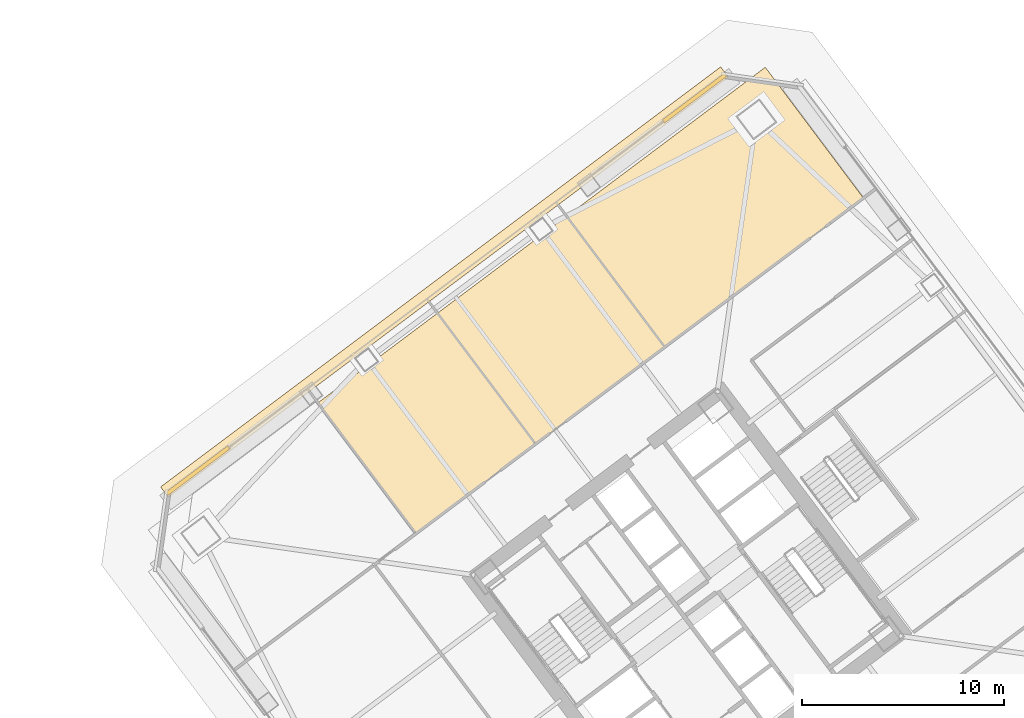
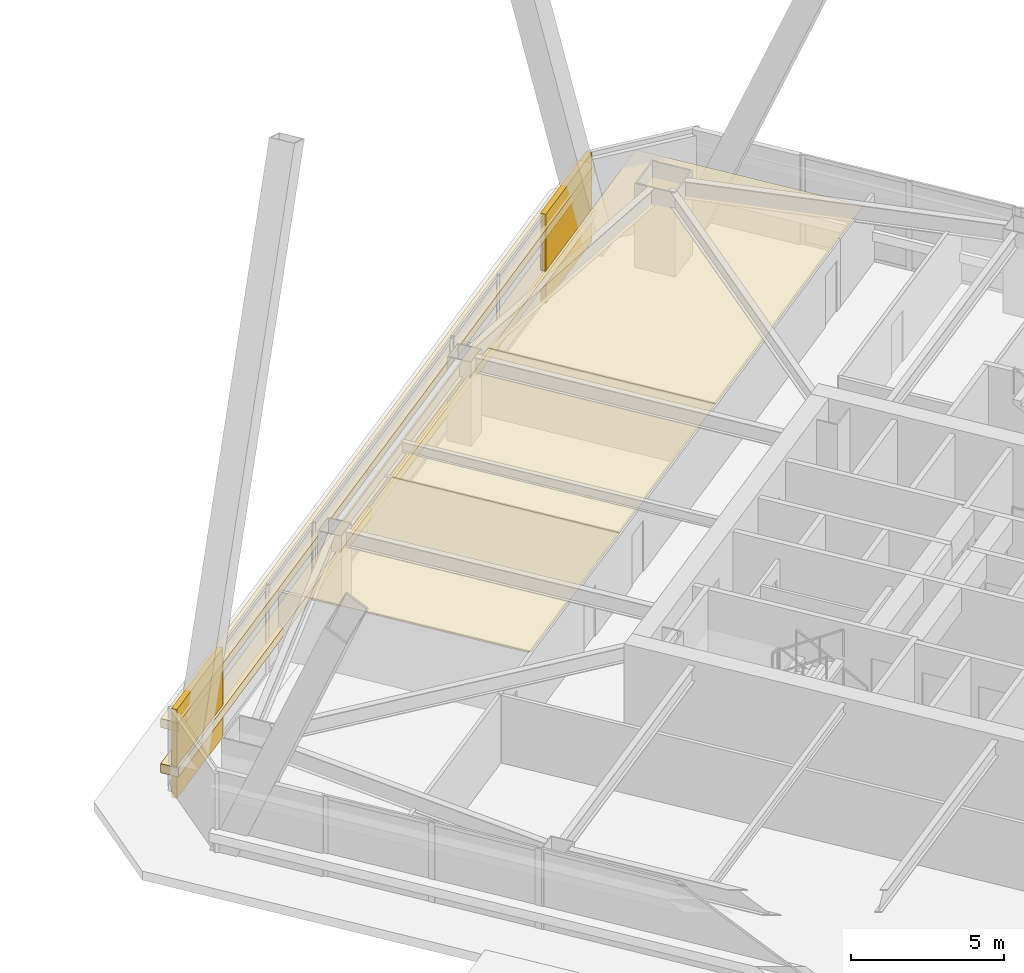
# One storey, part 66 of 67: 7 coverings.
"""IFC4 building model written with IfcOpenShell, lengths in metres."""

from ifc_helpers import new_model, si_unit, direction, frame, origin, origin_2d, place, context, subcontext, project, spatial, polyline, rectangle, outline, extrude, material, layer, layer_set, type_object, element, save


model = new_model("IFC4")

# Units and contexts
model_context = context("Model", 3, precision=1e-05, world=origin(), true_north=direction((0.0, 1.0)))
body_context = subcontext(model_context, "Body", "Model", "MODEL_VIEW")
ifc_project = project(units=[si_unit("LENGTHUNIT", "METRE"), si_unit("AREAUNIT", "SQUARE_METRE"), si_unit("VOLUMEUNIT", "CUBIC_METRE"), si_unit("PLANEANGLEUNIT", "RADIAN"), si_unit("MASSUNIT", "GRAM", prefix="KILO")], contexts=[model_context])

# Site, building, storey
site_placement = place(None, origin())
site = spatial("IfcSite", under=ifc_project, at=site_placement, CompositionType="ELEMENT")
building_placement = place(site_placement, origin())
building = spatial("IfcBuilding", under=site, at=building_placement, Name="Tashvorn Skyway Center", CompositionType="ELEMENT")
storey_placement = place(building_placement, frame((0.0, 0.0, 67.199951171875)))
storey = spatial("IfcBuildingStorey", under=building, at=storey_placement, Name="L17", CompositionType="ELEMENT", Elevation=67.199951171875)

# Coverings
ifc_material_1 = material(Name="Precast concrete C40/50", Category="concrete")
ifc_layer_1 = layer(ifc_material_1, 0.199951171875)
ifc_layer_set_1 = layer_set([ifc_layer_1], Name="Precast concrete C40/50")
covering_type_1 = type_object("IfcCoveringType", Name="COV-BRACE-CLAD", PredefinedType="CLADDING", material=ifc_layer_set_1)
for number, where, z_axis, x_axis, name in (
    (1, (89.783935546875, 38.68798828125, 0.0), (0.0, 0.0, 1.0), (0.799999996291, 0.600000004945, 0.0), "Tower 2 L17 North Unitised Curtain Wall Mega-Brace Cladding Band 1"),
    (2, (114.360107421875, 57.1201171875, 0.0), (0.0, 0.0, 1.0), (0.799999996291, 0.600000004945, 0.0), "Tower 2 L17 North Unitised Curtain Wall Mega-Brace Cladding Band 2"),
):
    element("IfcCovering", number, at=place(storey_placement, frame(where, z_axis=z_axis, x_axis=x_axis)), inside=storey, type_object=covering_type_1, Name=name, PredefinedType="CLADDING", context=body_context, shape_type="SweptSolid", body=[
        extrude(rectangle(XDim=3.840087890625, YDim=0.199951171875, at=origin_2d()), origin(), (0.0, 0.0, 1.0), 3.550048828125),
    ])
ifc_material_2 = material(Name="Mineral-fibre acoustic ceiling tile on suspended grid")
ifc_layer_2 = layer(ifc_material_2, 0.02001953125)
ifc_layer_set_2 = layer_set([ifc_layer_2], Name="Mineral-fibre acoustic ceiling tile on suspended grid")
covering_type_2 = type_object("IfcCoveringType", Name="COV-CEIL-20", PredefinedType="CEILING", material=ifc_layer_set_2)
covering_1_placement = place(storey_placement, frame((0.0, 0.0, 2.68310546875)))
element("IfcCovering", 3, at=covering_1_placement, inside=storey, type_object=covering_type_2, Name="Tower 2 L17 Conference Room Acoustic Ceiling", PredefinedType="CEILING", context=body_context, shape_type="SweptSolid", body=[
    extrude(outline(polyline([(100.580078125, 35.56005859375), (106.5, 40.0), (101.639892578125, 46.47998046875), (95.719970703125, 42.0400390625), (100.580078125, 35.56005859375)])), origin(), (0.0, 0.0, 1.0), 0.02001953125),
])
covering_2_placement = place(storey_placement, frame((0.0, 0.0, 2.68310546875)))
element("IfcCovering", 4, at=covering_2_placement, inside=storey, type_object=covering_type_2, Name="Tower 2 L17 Boardroom Acoustic Ceiling", PredefinedType="CEILING", context=body_context, shape_type="SweptSolid", body=[
    extrude(outline(polyline([(106.5, 40.0), (112.89990234375, 44.800048828125), (108.0400390625, 51.280029296875), (101.639892578125, 46.47998046875), (106.5, 40.0)])), origin(), (0.0, 0.0, 1.0), 0.02001953125),
])
covering_3_placement = place(storey_placement, frame((0.0, 0.0, 2.68310546875)))
element("IfcCovering", 5, at=covering_3_placement, inside=storey, type_object=covering_type_2, Name="Tower 2 L17 Gallery Showroom Acoustic Ceiling", PredefinedType="CEILING", context=body_context, shape_type="SweptSolid", body=[
    extrude(outline(polyline([(112.89990234375, 44.800048828125), (122.739990234375, 52.179931640625), (117.8798828125, 58.659912109375), (108.0400390625, 51.280029296875), (112.89990234375, 44.800048828125)])), origin(), (0.0, 0.0, 1.0), 0.02001953125),
])
ifc_material_3 = material(Name="Perforated ceramic-coated bronze aluminium solar screen", Category="aluminium")
ifc_layer_3 = layer(ifc_material_3, 0.85009765625)
ifc_layer_set_3 = layer_set([ifc_layer_3], Name="Perforated ceramic-coated bronze aluminium solar screen")
covering_type_3 = type_object("IfcCoveringType", Name="COV-SOLAR-BAND", PredefinedType="CLADDING", material=ifc_layer_set_3)
for number, where, z_axis, x_axis, name in (
    (6, (101.988037109375, 48.01611328125, 0.919921875), (0.0, 0.0, 1.0), (0.799999996291, 0.600000004945, 0.0), "L17 Perforated Ceramic-Metal Solar Screen Louvre Band North 1"),
    (7, (101.988037109375, 48.01611328125, 2.72021484375), (0.0, 0.0, 1.0), (0.799999996291, 0.600000004945, 0.0), "L17 Perforated Ceramic-Metal Solar Screen Louvre Band North 2"),
):
    element("IfcCovering", number, at=place(storey_placement, frame(where, z_axis=z_axis, x_axis=x_axis)), inside=storey, type_object=covering_type_3, Name=name, PredefinedType="CLADDING", context=body_context, shape_type="SweptSolid", body=[
        extrude(rectangle(XDim=34.679931640625, YDim=0.639892578125, at=origin_2d()), origin(), (0.0, 0.0, 1.0), 0.360107421875),
    ])

save(model, "model.ifc")
